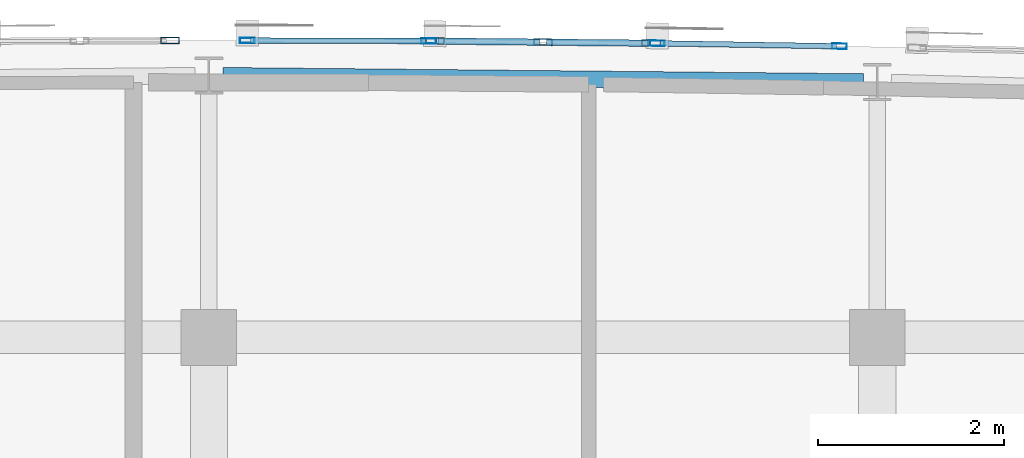
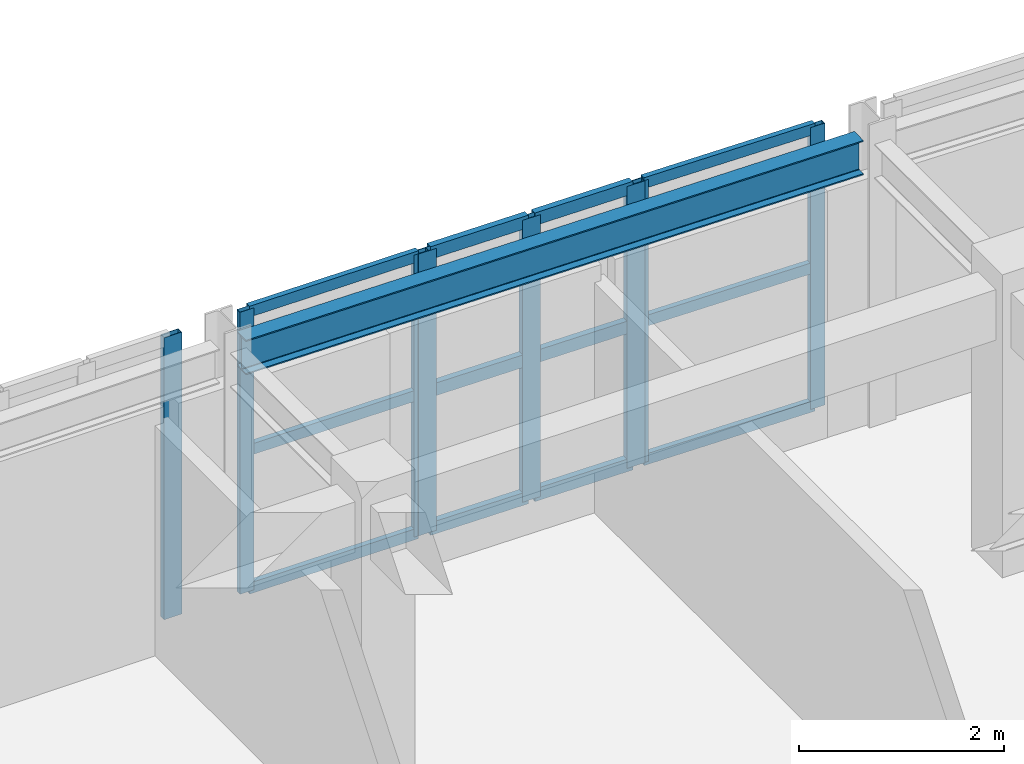
# One storey, part 29 of 73: 20 members, 1 beam, 4 elements without a shape of their own.
"""IFC4 building model written with IfcOpenShell, lengths in metres."""

import ifcopenshell
import ifcopenshell.guid

model = None  # the IFC model being written
_history = None  # IfcOwnerHistory: only IFC2X3 demands one
_inside = {}  # id of a spatial element -> (the spatial element, [elements in it])
_under = {}  # id of a project, library or spatial element -> (it, [spatial elements below it])
_declared = {}  # id of a project -> (the project, [libraries it declares])
_typed = {}  # id of a type object -> (the type object, [elements of that type])
_made_of = {}  # id of a material, layer set ... -> (it, [elements and type objects made of it])


def new_model(schema):
    """Start an empty IFC model of exactly this schema.

    Asked for "IFC4X3", IfcOpenShell would pick the latest addendum, in which some entities
    have other attributes; the version numbers below select the first issue.
    IFC2X3 requires an IfcOwnerHistory on every rooted entity: one is made here for all.
    """
    global model, _history
    if schema == "IFC4X3":
        model = ifcopenshell.file(schema_version=(4, 3, 0, 0))
    else:
        model = ifcopenshell.file(schema=schema)
    _inside.clear()
    _under.clear()
    _declared.clear()
    _typed.clear()
    _made_of.clear()
    _history = None
    if model.schema == "IFC2X3":
        org = make("IfcOrganization", Name="unknown")
        user = make(
            "IfcPersonAndOrganization",
            ThePerson=make("IfcPerson", FamilyName="unknown"),
            TheOrganization=org,
        )
        app = make(
            "IfcApplication",
            ApplicationDeveloper=org,
            Version="unknown",
            ApplicationFullName="unknown",
            ApplicationIdentifier="unknown",
        )
        _history = make(
            "IfcOwnerHistory",
            OwningUser=user,
            OwningApplication=app,
            ChangeAction="ADDED",
            CreationDate=0,
        )
    return model


def make(cls, **values):
    """One entity of the class cls with the attributes given. An attribute that is None is left unset."""
    return model.create_entity(
        cls, **{name: value for name, value in values.items() if value is not None}
    )


def rooted(cls, **values):
    """An entity with a GlobalId (a new one), such as an element, a storey or a relation."""
    return make(cls, GlobalId=ifcopenshell.guid.new(), OwnerHistory=_history, **values)


def si_unit(unit_type, name, prefix=None):
    """IfcSIUnit, for example si_unit("LENGTHUNIT", "METRE", prefix="MILLI")."""
    return make("IfcSIUnit", UnitType=unit_type, Prefix=prefix, Name=name)


def assignment(units):
    """IfcUnitAssignment: the units of a project."""
    return None if units is None else make("IfcUnitAssignment", Units=units)


def point(xyz):
    """IfcCartesianPoint."""
    return None if xyz is None else make("IfcCartesianPoint", Coordinates=xyz)


def direction(xyz):
    """IfcDirection."""
    return None if xyz is None else make("IfcDirection", DirectionRatios=xyz)


def frame(location, z_axis=None, x_axis=None):
    """IfcAxis2Placement3D, a coordinate frame: its origin and axes. An axis left out is left unset."""
    return make(
        "IfcAxis2Placement3D",
        Location=point(location),
        Axis=direction(z_axis),
        RefDirection=direction(x_axis),
    )


def frame_2d(location, x_axis=None):
    """IfcAxis2Placement2D, a coordinate frame in the plane: its origin and x axis."""
    return make(
        "IfcAxis2Placement2D", Location=point(location), RefDirection=direction(x_axis)
    )


def origin():
    """The frame at (0, 0, 0) with its axes left unset."""
    return frame((0.0, 0.0, 0.0))


def origin_2d():
    """The frame at (0, 0) in the plane with its x axis left unset."""
    return frame_2d((0.0, 0.0))


def place(relative_to, where):
    """IfcLocalPlacement: puts the frame where relative to a parent placement (None: the world)."""
    return make(
        "IfcLocalPlacement", PlacementRelTo=relative_to, RelativePlacement=where
    )


def context(
    kind, dimensions, precision=None, world=None, true_north=None, identifier=None
):
    """IfcGeometricRepresentationContext, for example the 3D "Model" context."""
    return make(
        "IfcGeometricRepresentationContext",
        ContextIdentifier=identifier,
        ContextType=kind,
        CoordinateSpaceDimension=dimensions,
        Precision=precision,
        WorldCoordinateSystem=world,
        TrueNorth=true_north,
    )


def subcontext(parent, identifier, kind, view, scale=None):
    """IfcGeometricRepresentationSubContext, for example "Body" below "Model"."""
    return make(
        "IfcGeometricRepresentationSubContext",
        ContextIdentifier=identifier,
        ContextType=kind,
        ParentContext=parent,
        TargetScale=scale,
        TargetView=view,
    )


def project(units=None, contexts=None):
    """IfcProject with its units and contexts."""
    return rooted(
        "IfcProject",
        Name="project",
        RepresentationContexts=contexts,
        UnitsInContext=assignment(units),
    )


def spatial(cls, under=None, at=None, **own):
    """A site, building, storey or space (cls), placed at a placement, below another one or the project."""
    s = rooted(cls, ObjectPlacement=at, **own)
    if under is not None:
        _under.setdefault(under.id(), (under, []))[1].append(s)
    return s


def profile(cls, at=None, kind="AREA", **sizes):
    """A parametric profile (cls). Its sizes go by their IFC names, for example OverallWidth=200.0."""
    return make(cls, ProfileType=kind, Position=at, **sizes)


def hollow_rectangle(**sizes):
    """IfcRectangleHollowProfileDef."""
    return profile("IfcRectangleHollowProfileDef", **sizes)


def i_section(**sizes):
    """IfcIShapeProfileDef."""
    return profile("IfcIShapeProfileDef", **sizes)


def extrude(swept, where, along, depth):
    """IfcExtrudedAreaSolid: the profile swept, set in the frame where, extruded along a direction by depth."""
    return make(
        "IfcExtrudedAreaSolid",
        SweptArea=swept,
        Position=where,
        ExtrudedDirection=direction(along),
        Depth=depth,
    )


def shape(context_of_items, identifier, shape_type, items):
    """IfcShapeRepresentation: the items that make up one representation, for example the "Body"."""
    return make(
        "IfcShapeRepresentation",
        ContextOfItems=context_of_items,
        RepresentationIdentifier=identifier,
        RepresentationType=shape_type,
        Items=items,
    )


def material(Name=None, Category=None):
    """IfcMaterial."""
    return make("IfcMaterial", Name=Name, Category=Category)


def layer(
    of_material, thickness, ventilated=None, Name=None, Category=None, Priority=None
):
    """IfcMaterialLayer: one layer of a wall or slab, of a material (None: an air gap)."""
    return make(
        "IfcMaterialLayer",
        Material=of_material,
        LayerThickness=thickness,
        IsVentilated=ventilated,
        Name=Name,
        Category=Category,
        Priority=Priority,
    )


def layer_set(layers, Name=None):
    """IfcMaterialLayerSet."""
    return make("IfcMaterialLayerSet", MaterialLayers=layers, LayerSetName=Name)


def material_profile(
    of_material, cross_section, Name=None, Category=None, Priority=None
):
    """IfcMaterialProfile: a cross section and its material."""
    return make(
        "IfcMaterialProfile",
        Name=Name,
        Material=of_material,
        Profile=cross_section,
        Priority=Priority,
        Category=Category,
    )


def profile_set(profiles, Name=None, composite=None):
    """IfcMaterialProfileSet."""
    return make(
        "IfcMaterialProfileSet",
        Name=Name,
        MaterialProfiles=profiles,
        CompositeProfile=composite,
    )


def made_of(thing, what):
    """Note that an element or type object is made of a material, layer set ...; save() writes the relation."""
    if what is not None:
        _made_of.setdefault(what.id(), (what, []))[1].append(thing)
    return thing


def type_object(cls, material=None, **own):
    """A type object (cls), such as IfcWallType, which elements share."""
    return made_of(rooted(cls, **own), material)


def element(
    cls,
    number,
    at=None,
    inside=None,
    cuts=None,
    type_object=None,
    material=None,
    context=None,
    identifier="Body",
    shape_type=None,
    held_by="IfcProductDefinitionShape",
    body=None,
    shapes=None,
    **own,
):
    """One element of the class cls, such as IfcWall. Its Tag is "e" and its number.

    at: its placement. inside: the storey or other place that contains it. cuts: it is an
    opening in that element (IfcRelVoidsElement). A single representation is given by context,
    identifier, shape_type and body (its items); several are given by shapes. held_by: the class
    of the entity that holds the representations. save() writes the other relations.
    """
    e = rooted(cls, Tag="e%d" % number, ObjectPlacement=at, **own)
    if body is not None:
        shapes = [shape(context, identifier, shape_type, body)]
    if shapes is not None:
        e.Representation = make(held_by, Representations=shapes)
    if inside is not None:
        _inside.setdefault(inside.id(), (inside, []))[1].append(e)
    if cuts is not None:
        rooted(
            "IfcRelVoidsElement", RelatingBuildingElement=cuts, RelatedOpeningElement=e
        )
    if type_object is not None:
        _typed.setdefault(type_object.id(), (type_object, []))[1].append(e)
    return made_of(e, material)


def aggregate(whole, parts):
    """IfcRelAggregates: a whole, such as a stair, and the parts it consists of."""
    return rooted("IfcRelAggregates", RelatingObject=whole, RelatedObjects=parts)


def save(model, path):
    """Write the relations noted so far, then the file.

    IfcRelAggregates (storeys below a building ...), IfcRelContainedInSpatialStructure (elements
    in a storey), IfcRelDefinesByType, IfcRelAssociatesMaterial and IfcRelDeclares: one each for
    every whole, place, type object, material and project.
    """
    for whole, parts in _under.values():
        aggregate(whole, parts)
    for where, things in _inside.values():
        rooted(
            "IfcRelContainedInSpatialStructure",
            RelatedElements=things,
            RelatingStructure=where,
        )
    for kind, things in _typed.values():
        rooted("IfcRelDefinesByType", RelatedObjects=things, RelatingType=kind)
    for what, things in _made_of.values():
        rooted("IfcRelAssociatesMaterial", RelatedObjects=things, RelatingMaterial=what)
    for by, libraries in _declared.values():
        rooted("IfcRelDeclares", RelatingContext=by, RelatedDefinitions=libraries)
    model.write(path)


model = new_model("IFC4")

# Units and contexts
model_context = context("Model", 3, precision=1e-05, world=origin(), true_north=direction((0.0, 1.0)))
body_context = subcontext(model_context, "Body", "Model", "MODEL_VIEW")
ifc_project = project(units=[si_unit("LENGTHUNIT", "METRE"), si_unit("AREAUNIT", "SQUARE_METRE"), si_unit("VOLUMEUNIT", "CUBIC_METRE"), si_unit("PLANEANGLEUNIT", "RADIAN"), si_unit("MASSUNIT", "GRAM", prefix="KILO")], contexts=[model_context])

# Site, building, storey
site_placement = place(None, origin())
site = spatial("IfcSite", under=ifc_project, at=site_placement, CompositionType="ELEMENT")
building_placement = place(site_placement, origin())
building = spatial("IfcBuilding", under=site, at=building_placement, Name="Carrowvane Square Congress Hotel", CompositionType="ELEMENT")
storey_placement = place(building_placement, frame((0.0, 0.0, 19.199951171875)))
storey = spatial("IfcBuildingStorey", under=building, at=storey_placement, Name="L04", CompositionType="ELEMENT", Elevation=19.199951171875)

# Beam
ifc_material_1 = material(Name="Steel S355", Category="steel")
ifc_material_profile_1 = material_profile(ifc_material_1, i_section(OverallWidth=0.1787109375, OverallDepth=0.409423828125, WebThickness=0.0087890625, FlangeThickness=0.014404296875, FilletRadius=0.01025390625, at=origin_2d()), Name="UKB 406x178x67")
ifc_profile_set_1 = profile_set([ifc_material_profile_1], Name="Steel S355")
beam_type = type_object("IfcBeamType", Name="BM-ST-UKB406", PredefinedType="BEAM", material=ifc_profile_set_1)
beam_placement = place(storey_placement, frame((98.14990234375, 116.218505859375, 3.145263671875), z_axis=(0.999952666563, -0.00972957518, 0.0), x_axis=(0.00972957518, 0.999952666563, 0.0)))
element("IfcBeam", 1, at=beam_placement, inside=storey, type_object=beam_type, Name="L05 curved north spandrel", PredefinedType="BEAM", context=body_context, shape_type="SweptSolid", body=[
    extrude(i_section(OverallWidth=0.1787109375, OverallDepth=0.409423828125, WebThickness=0.0087890625, FlangeThickness=0.014404296875, FilletRadius=0.01025390625, at=origin_2d()), origin(), (0.0, 0.0, 1.0), 6.900390625),
])

# Curtain wall, members
ifc_material_2 = material(Name="Anodised aluminium", Category="aluminium")
ifc_layer_1 = layer(ifc_material_2, 0.162109375)
ifc_layer_set_1 = layer_set([ifc_layer_1], Name="Anodised aluminium")
curtain_wall_type_1 = type_object("IfcCurtainWallType", Name="CW-SYS-1", PredefinedType="NOTDEFINED", material=ifc_layer_set_1)
curtain_wall_1_placement = place(storey_placement, origin())
curtain_wall_1 = element("IfcCurtainWall", 2, at=curtain_wall_1_placement, inside=storey, type_object=curtain_wall_type_1, Name="L04 unitised curtain wall 272", PredefinedType="NOTDEFINED")
ifc_material_3 = material(Name="Anodised aluminium", Category="aluminium")
ifc_material_profile_2 = material_profile(ifc_material_3, hollow_rectangle(XDim=0.06005859375, YDim=0.159912109375, WallThickness=0.00390625, at=origin_2d()), Name="CW-ML 60x160x4")
ifc_profile_set_2 = profile_set([ifc_material_profile_2], Name="Anodised aluminium")
member_type_1 = type_object("IfcMemberType", Name="CW-MUL-1", PredefinedType="MULLION", material=ifc_profile_set_2)
member_1_placement = place(storey_placement, frame((98.414794921875, 116.5986328125, 0.0), z_axis=(0.0, 0.0, 1.0), x_axis=(0.003270307911, 0.999994652529, 0.0)))
member_1 = element("IfcMember", 3, at=member_1_placement, type_object=member_type_1, Name="CW-1 mullion 1", PredefinedType="MULLION", context=body_context, shape_type="SweptSolid", body=[
    extrude(hollow_rectangle(XDim=0.06005859375, YDim=0.159912109375, WallThickness=0.00390625, at=origin_2d()), origin(), (0.0, 0.0, 1.0), 3.35009765625),
])
member_2_placement = place(storey_placement, frame((100.369873046875, 116.59228515625, 0.0), z_axis=(0.0, 0.0, 1.0), x_axis=(0.003270307911, 0.999994652529, 0.0)))
member_2 = element("IfcMember", 4, at=member_2_placement, type_object=member_type_1, Name="CW-1 mullion 2", PredefinedType="MULLION", context=body_context, shape_type="SweptSolid", body=[
    extrude(hollow_rectangle(XDim=0.06005859375, YDim=0.159912109375, WallThickness=0.00390625, at=origin_2d()), origin(), (0.0, 0.0, 1.0), 3.35009765625),
])

ifc_material_4 = material(Name="Anodised aluminium", Category="aluminium")
ifc_layer_2 = layer(ifc_material_4, 0.18603515625)
ifc_layer_set_2 = layer_set([ifc_layer_2], Name="Anodised aluminium")
curtain_wall_type_2 = type_object("IfcCurtainWallType", Name="CW-SYS-3", PredefinedType="NOTDEFINED", material=ifc_layer_set_2)
curtain_wall_2_placement = place(storey_placement, origin())
curtain_wall_2 = element("IfcCurtainWall", 5, at=curtain_wall_2_placement, inside=storey, type_object=curtain_wall_type_2, Name="L04 unitised curtain wall 274", PredefinedType="NOTDEFINED")
member_3_placement = place(storey_placement, frame((102.830078125, 116.568115234375, 0.0), z_axis=(0.0, 0.0, 1.0), x_axis=(0.016215981364, 0.99986851233, 0.0)))
member_3 = element("IfcMember", 6, at=member_3_placement, type_object=member_type_1, Name="CW-3 mullion 1", PredefinedType="MULLION", context=body_context, shape_type="SweptSolid", body=[
    extrude(hollow_rectangle(XDim=0.06005859375, YDim=0.159912109375, WallThickness=0.00390625, at=origin_2d()), origin(), (0.0, 0.0, 1.0), 3.35009765625),
])
member_4_placement = place(storey_placement, frame((104.79248046875, 116.536376953125, 0.0), z_axis=(0.0, 0.0, 1.0), x_axis=(0.016215981364, 0.99986851233, 0.0)))
member_4 = element("IfcMember", 7, at=member_4_placement, type_object=member_type_1, Name="CW-3 mullion 2", PredefinedType="MULLION", context=body_context, shape_type="SweptSolid", body=[
    extrude(hollow_rectangle(XDim=0.06005859375, YDim=0.159912109375, WallThickness=0.00390625, at=origin_2d()), origin(), (0.0, 0.0, 1.0), 3.35009765625),
])

# Curtain wall, member
ifc_material_5 = material(Name="Anodised aluminium", Category="aluminium")
ifc_layer_3 = layer(ifc_material_5, 0.24609375)
ifc_layer_set_3 = layer_set([ifc_layer_3], Name="Anodised aluminium")
curtain_wall_type_3 = type_object("IfcCurtainWallType", Name="CW-SYS-8", PredefinedType="NOTDEFINED", material=ifc_layer_set_3)
curtain_wall_3_placement = place(storey_placement, origin())
curtain_wall_3 = element("IfcCurtainWall", 8, at=curtain_wall_3_placement, inside=storey, type_object=curtain_wall_type_3, Name="L04 unitised curtain wall 271", PredefinedType="NOTDEFINED")
ifc_material_6 = material(Name="Anodised aluminium", Category="aluminium")
ifc_material_profile_3 = material_profile(ifc_material_6, hollow_rectangle(XDim=0.070068359375, YDim=0.199951171875, WallThickness=0.0048828125, at=origin_2d()), Name="CW-ML 70x200x5")
ifc_profile_set_3 = profile_set([ifc_material_profile_3], Name="Anodised aluminium")
member_type_2 = type_object("IfcMemberType", Name="CW-MUL-2", PredefinedType="MULLION", material=ifc_profile_set_3)
member_5_placement = place(storey_placement, frame((97.580078125, 116.5986328125, 0.0), z_axis=(0.0, 0.0, 1.0), x_axis=(-0.003270307911, 0.999994652529, 0.0)))
member_5 = element("IfcMember", 9, at=member_5_placement, type_object=member_type_2, Name="CW-8 mullion 3", PredefinedType="MULLION", context=body_context, shape_type="SweptSolid", body=[
    extrude(hollow_rectangle(XDim=0.070068359375, YDim=0.199951171875, WallThickness=0.0048828125, at=origin_2d()), origin(), (0.0, 0.0, 1.0), 3.35009765625),
])
aggregate(curtain_wall_3, [member_5])

# Curtain wall, members
ifc_material_7 = material(Name="Anodised aluminium", Category="aluminium")
ifc_layer_4 = layer(ifc_material_7, 0.174072265625)
ifc_layer_set_4 = layer_set([ifc_layer_4], Name="Anodised aluminium")
curtain_wall_type_4 = type_object("IfcCurtainWallType", Name="CW-SYS-2", PredefinedType="NOTDEFINED", material=ifc_layer_set_4)
curtain_wall_4_placement = place(storey_placement, origin())
curtain_wall_4 = element("IfcCurtainWall", 10, at=curtain_wall_4_placement, inside=storey, type_object=curtain_wall_type_4, Name="L04 unitised curtain wall 273", PredefinedType="NOTDEFINED")
member_6_placement = place(storey_placement, frame((100.43505859375, 116.591796875, 0.0), z_axis=(0.0, 0.0, 1.0), x_axis=(0.009782905924, 0.999952146231, 0.0)))
member_6 = element("IfcMember", 11, at=member_6_placement, type_object=member_type_2, Name="CW-2 mullion 1", PredefinedType="MULLION", context=body_context, shape_type="SweptSolid", body=[
    extrude(hollow_rectangle(XDim=0.070068359375, YDim=0.199951171875, WallThickness=0.0048828125, at=origin_2d()), origin(), (0.0, 0.0, 1.0), 3.35009765625),
])
member_7_placement = place(storey_placement, frame((101.60009765625, 116.580322265625, 0.0), z_axis=(0.0, 0.0, 1.0), x_axis=(0.009782905924, 0.999952146231, 0.0)))
member_7 = element("IfcMember", 12, at=member_7_placement, type_object=member_type_2, Name="CW-2 mullion 2", PredefinedType="MULLION", context=body_context, shape_type="SweptSolid", body=[
    extrude(hollow_rectangle(XDim=0.070068359375, YDim=0.199951171875, WallThickness=0.0048828125, at=origin_2d()), origin(), (0.0, 0.0, 1.0), 3.35009765625),
])
member_8_placement = place(storey_placement, frame((102.764892578125, 116.569091796875, 0.0), z_axis=(0.0, 0.0, 1.0), x_axis=(0.009782905924, 0.999952146231, 0.0)))
member_8 = element("IfcMember", 13, at=member_8_placement, type_object=member_type_2, Name="CW-2 mullion 3", PredefinedType="MULLION", context=body_context, shape_type="SweptSolid", body=[
    extrude(hollow_rectangle(XDim=0.070068359375, YDim=0.199951171875, WallThickness=0.0048828125, at=origin_2d()), origin(), (0.0, 0.0, 1.0), 3.35009765625),
])

# Member
ifc_material_8 = material(Name="Anodised aluminium", Category="aluminium")
ifc_material_profile_4 = material_profile(ifc_material_8, hollow_rectangle(XDim=0.06005859375, YDim=0.1298828125, WallThickness=0.00390625, at=origin_2d()), Name="CW-TR 60x130x4")
ifc_profile_set_4 = profile_set([ifc_material_profile_4], Name="Anodised aluminium")
member_type_3 = type_object("IfcMemberType", Name="CW-TRN-1", PredefinedType="USERDEFINED", material=ifc_profile_set_4)
member_9_placement = place(storey_placement, frame((98.44482421875, 116.5986328125, 0.030029296875), z_axis=(0.999994391408, -0.003349201878, 0.0), x_axis=(0.003349201878, 0.999994391408, 0.0)))
member_9 = element("IfcMember", 14, at=member_9_placement, type_object=member_type_3, Name="CW-1 transom 1.1", ObjectType="TRANSOM", PredefinedType="USERDEFINED", context=body_context, shape_type="SweptSolid", body=[
    extrude(hollow_rectangle(XDim=0.06005859375, YDim=0.1298828125, WallThickness=0.00390625, at=origin_2d()), origin(), (0.0, 0.0, 1.0), 1.895263671875),
])

member_10_placement = place(storey_placement, frame((98.44482421875, 116.5986328125, 1.675048828125), z_axis=(0.999994391408, -0.003349201878, 0.0), x_axis=(0.003349201878, 0.999994391408, 0.0)))
member_10 = element("IfcMember", 15, at=member_10_placement, type_object=member_type_3, Name="CW-1 transom 1.2", ObjectType="TRANSOM", PredefinedType="USERDEFINED", context=body_context, shape_type="SweptSolid", body=[
    extrude(hollow_rectangle(XDim=0.06005859375, YDim=0.1298828125, WallThickness=0.00390625, at=origin_2d()), origin(), (0.0, 0.0, 1.0), 1.895263671875),
])

member_11_placement = place(storey_placement, frame((98.44482421875, 116.5986328125, 3.320068359375), z_axis=(0.999994391408, -0.003349201878, 0.0), x_axis=(0.003349201878, 0.999994391408, 0.0)))
member_11 = element("IfcMember", 16, at=member_11_placement, type_object=member_type_3, Name="CW-1 transom 1.3", ObjectType="TRANSOM", PredefinedType="USERDEFINED", context=body_context, shape_type="SweptSolid", body=[
    extrude(hollow_rectangle(XDim=0.06005859375, YDim=0.1298828125, WallThickness=0.00390625, at=origin_2d()), origin(), (0.0, 0.0, 1.0), 1.895263671875),
])

aggregate(curtain_wall_1, [member_1, member_2, member_9, member_10, member_11])

member_12_placement = place(storey_placement, frame((102.860107421875, 116.567626953125, 0.030029296875), z_axis=(0.999869284212, -0.016168317481, 0.0), x_axis=(0.016168317481, 0.999869284212, 0.0)))
member_12 = element("IfcMember", 17, at=member_12_placement, type_object=member_type_3, Name="CW-3 transom 1.1", ObjectType="TRANSOM", PredefinedType="USERDEFINED", context=body_context, shape_type="SweptSolid", body=[
    extrude(hollow_rectangle(XDim=0.06005859375, YDim=0.1298828125, WallThickness=0.00390625, at=origin_2d()), origin(), (0.0, 0.0, 1.0), 1.902587890625),
])

member_13_placement = place(storey_placement, frame((102.860107421875, 116.567626953125, 1.675048828125), z_axis=(0.999869284212, -0.016168317481, 0.0), x_axis=(0.016168317481, 0.999869284212, 0.0)))
member_13 = element("IfcMember", 18, at=member_13_placement, type_object=member_type_3, Name="CW-3 transom 1.2", ObjectType="TRANSOM", PredefinedType="USERDEFINED", context=body_context, shape_type="SweptSolid", body=[
    extrude(hollow_rectangle(XDim=0.06005859375, YDim=0.1298828125, WallThickness=0.00390625, at=origin_2d()), origin(), (0.0, 0.0, 1.0), 1.902587890625),
])

member_14_placement = place(storey_placement, frame((102.860107421875, 116.567626953125, 3.320068359375), z_axis=(0.999869284212, -0.016168317481, 0.0), x_axis=(0.016168317481, 0.999869284212, 0.0)))
member_14 = element("IfcMember", 19, at=member_14_placement, type_object=member_type_3, Name="CW-3 transom 1.3", ObjectType="TRANSOM", PredefinedType="USERDEFINED", context=body_context, shape_type="SweptSolid", body=[
    extrude(hollow_rectangle(XDim=0.06005859375, YDim=0.1298828125, WallThickness=0.00390625, at=origin_2d()), origin(), (0.0, 0.0, 1.0), 1.902587890625),
])

aggregate(curtain_wall_2, [member_3, member_4, member_12, member_13, member_14])

ifc_material_9 = material(Name="Anodised aluminium", Category="aluminium")
ifc_material_profile_5 = material_profile(ifc_material_9, hollow_rectangle(XDim=0.070068359375, YDim=0.14990234375, WallThickness=0.0048828125, at=origin_2d()), Name="CW-TR 70x150x5")
ifc_profile_set_5 = profile_set([ifc_material_profile_5], Name="Anodised aluminium")
member_type_4 = type_object("IfcMemberType", Name="CW-TRN-2", PredefinedType="USERDEFINED", material=ifc_profile_set_5)
member_15_placement = place(storey_placement, frame((100.469970703125, 116.591552734375, 0.03515625), z_axis=(0.999951880721, -0.009810007302, 0.0), x_axis=(0.009810007302, 0.999951880721, 0.0)))
member_15 = element("IfcMember", 20, at=member_15_placement, type_object=member_type_4, Name="CW-2 transom 1.1", ObjectType="TRANSOM", PredefinedType="USERDEFINED", context=body_context, shape_type="SweptSolid", body=[
    extrude(hollow_rectangle(XDim=0.070068359375, YDim=0.14990234375, WallThickness=0.0048828125, at=origin_2d()), origin(), (0.0, 0.0, 1.0), 1.094970703125),
])

member_16_placement = place(storey_placement, frame((100.469970703125, 116.591552734375, 1.675048828125), z_axis=(0.999951880721, -0.009810007302, 0.0), x_axis=(0.009810007302, 0.999951880721, 0.0)))
member_16 = element("IfcMember", 21, at=member_16_placement, type_object=member_type_4, Name="CW-2 transom 1.2", ObjectType="TRANSOM", PredefinedType="USERDEFINED", context=body_context, shape_type="SweptSolid", body=[
    extrude(hollow_rectangle(XDim=0.070068359375, YDim=0.14990234375, WallThickness=0.0048828125, at=origin_2d()), origin(), (0.0, 0.0, 1.0), 1.094970703125),
])

member_17_placement = place(storey_placement, frame((100.469970703125, 116.591552734375, 3.31494140625), z_axis=(0.999951880721, -0.009810007302, 0.0), x_axis=(0.009810007302, 0.999951880721, 0.0)))
member_17 = element("IfcMember", 22, at=member_17_placement, type_object=member_type_4, Name="CW-2 transom 1.3", ObjectType="TRANSOM", PredefinedType="USERDEFINED", context=body_context, shape_type="SweptSolid", body=[
    extrude(hollow_rectangle(XDim=0.070068359375, YDim=0.14990234375, WallThickness=0.0048828125, at=origin_2d()), origin(), (0.0, 0.0, 1.0), 1.094970703125),
])

member_18_placement = place(storey_placement, frame((101.635009765625, 116.580078125, 0.03515625), z_axis=(0.999951880721, -0.009810007302, 0.0), x_axis=(0.009810007302, 0.999951880721, 0.0)))
member_18 = element("IfcMember", 23, at=member_18_placement, type_object=member_type_4, Name="CW-2 transom 2.1", ObjectType="TRANSOM", PredefinedType="USERDEFINED", context=body_context, shape_type="SweptSolid", body=[
    extrude(hollow_rectangle(XDim=0.070068359375, YDim=0.14990234375, WallThickness=0.0048828125, at=origin_2d()), origin(), (0.0, 0.0, 1.0), 1.094970703125),
])

member_19_placement = place(storey_placement, frame((101.635009765625, 116.580078125, 1.675048828125), z_axis=(0.999951880721, -0.009810007302, 0.0), x_axis=(0.009810007302, 0.999951880721, 0.0)))
member_19 = element("IfcMember", 24, at=member_19_placement, type_object=member_type_4, Name="CW-2 transom 2.2", ObjectType="TRANSOM", PredefinedType="USERDEFINED", context=body_context, shape_type="SweptSolid", body=[
    extrude(hollow_rectangle(XDim=0.070068359375, YDim=0.14990234375, WallThickness=0.0048828125, at=origin_2d()), origin(), (0.0, 0.0, 1.0), 1.094970703125),
])

member_20_placement = place(storey_placement, frame((101.635009765625, 116.580078125, 3.31494140625), z_axis=(0.999951880721, -0.009810007302, 0.0), x_axis=(0.009810007302, 0.999951880721, 0.0)))
member_20 = element("IfcMember", 25, at=member_20_placement, type_object=member_type_4, Name="CW-2 transom 2.3", ObjectType="TRANSOM", PredefinedType="USERDEFINED", context=body_context, shape_type="SweptSolid", body=[
    extrude(hollow_rectangle(XDim=0.070068359375, YDim=0.14990234375, WallThickness=0.0048828125, at=origin_2d()), origin(), (0.0, 0.0, 1.0), 1.094970703125),
])

aggregate(curtain_wall_4, [member_6, member_7, member_8, member_15, member_16, member_17, member_18, member_19, member_20])

save(model, "model.ifc")
